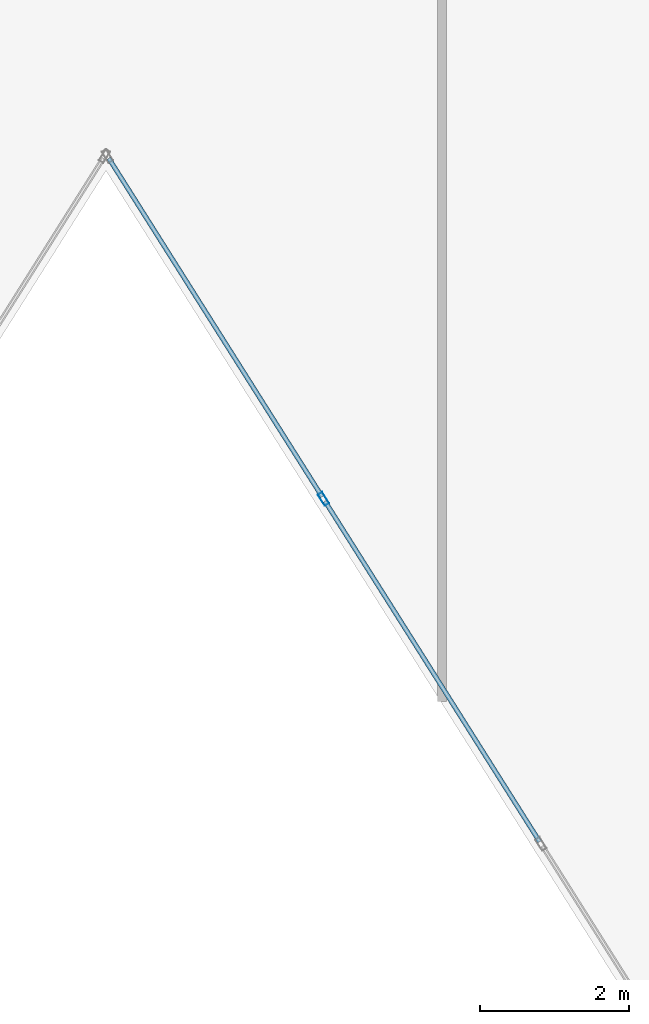
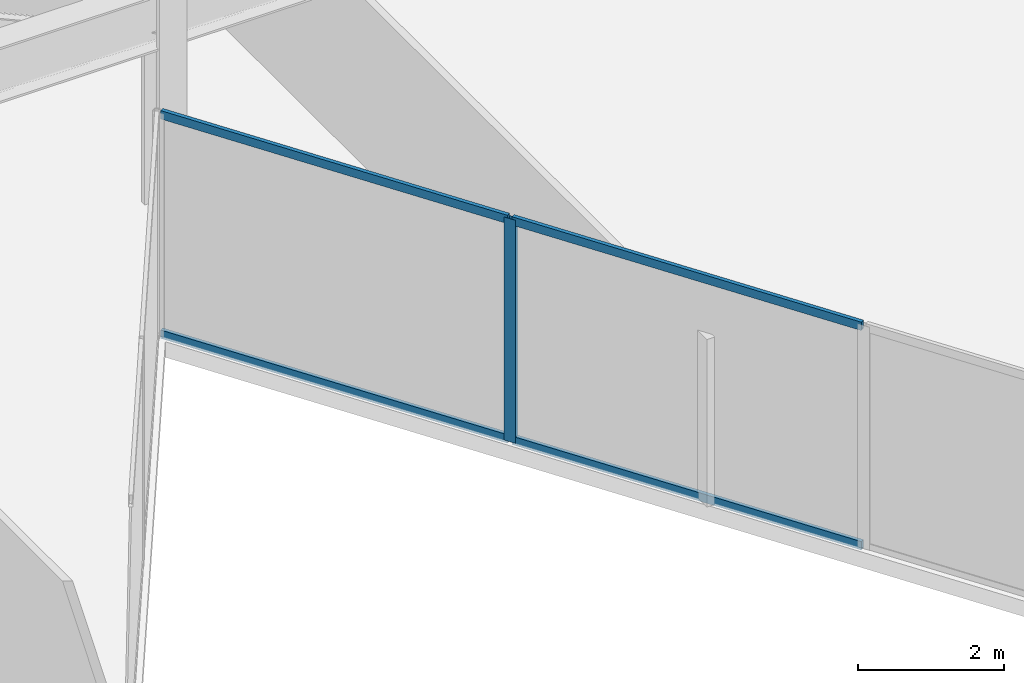
# One storey, part 15 of 25: 5 members, 1 element without a shape of its own.
"""IFC4 building model written with IfcOpenShell, lengths in metres."""

from ifc_helpers import new_model, si_unit, direction, frame, origin, origin_2d, place, context, subcontext, project, spatial, hollow_rectangle, extrude, material, layer, layer_set, material_profile, profile_set, type_object, element, aggregate, save


model = new_model("IFC4")

# Units and contexts
model_context = context("Model", 3, precision=1e-05, world=origin(), true_north=direction((0.0, 1.0)))
body_context = subcontext(model_context, "Body", "Model", "MODEL_VIEW")
ifc_project = project(units=[si_unit("LENGTHUNIT", "METRE"), si_unit("AREAUNIT", "SQUARE_METRE"), si_unit("VOLUMEUNIT", "CUBIC_METRE"), si_unit("PLANEANGLEUNIT", "RADIAN"), si_unit("MASSUNIT", "GRAM", prefix="KILO")], contexts=[model_context])

# Site, building, storey
site_placement = place(None, origin())
site = spatial("IfcSite", under=ifc_project, at=site_placement, CompositionType="ELEMENT")
building_placement = place(site_placement, origin())
building = spatial("IfcBuilding", under=site, at=building_placement, Name="Kravanh Interchange Tower", CompositionType="ELEMENT")
storey_placement = place(building_placement, frame((0.0, 0.0, 81.5)))
storey = spatial("IfcBuildingStorey", under=building, at=storey_placement, Name="L19", CompositionType="ELEMENT", Elevation=81.5)

# Curtain wall, members
ifc_material_1 = material(Name="Anodised Bronze Aluminium", Category="aluminium")
ifc_layer = layer(ifc_material_1, 0.179931640625)
ifc_layer_set = layer_set([ifc_layer], Name="Unitised Curtain Wall System CW-Z1 Lower Office")
curtain_wall_type = type_object("IfcCurtainWallType", Name="Unitised Curtain Wall System CW-Z1 Lower Office", PredefinedType="NOTDEFINED", material=ifc_layer_set)
curtain_wall_placement = place(storey_placement, origin())
curtain_wall = element("IfcCurtainWall", 1, at=curtain_wall_placement, inside=storey, type_object=curtain_wall_type, Name="L19 Unitised Curtain Wall CW-L19-04", PredefinedType="NOTDEFINED")
ifc_material_2 = material(Name="Anodised Bronze Aluminium", Category="aluminium")
ifc_material_profile_1 = material_profile(ifc_material_2, hollow_rectangle(XDim=0.070068359375, YDim=0.179931640625, WallThickness=0.00390625, at=origin_2d()), Name="ALU70X180X4")
ifc_profile_set_1 = profile_set([ifc_material_profile_1], Name="Anodised Bronze Aluminium")
member_type_1 = type_object("IfcMemberType", Name="Curtain Wall Mullion ALU70X180X4 Bronze", PredefinedType="MULLION", material=ifc_profile_set_1)
member_1_placement = place(storey_placement, frame((39.913330078125, 19.60400390625, 0.0), z_axis=(0.0, 0.0, 1.0), x_axis=(-0.845925530786, -0.53330103728, 0.0)))
member_1 = element("IfcMember", 2, at=member_1_placement, type_object=member_type_1, Name="CW-Z1 mullion 5", PredefinedType="MULLION", context=body_context, shape_type="SweptSolid", body=[
    extrude(hollow_rectangle(XDim=0.070068359375, YDim=0.179931640625, WallThickness=0.00390625, at=origin_2d()), origin(), (0.0, 0.0, 1.0), 3.719970703125),
])
ifc_material_3 = material(Name="Anodised Bronze Aluminium", Category="aluminium")
ifc_material_profile_2 = material_profile(ifc_material_3, hollow_rectangle(XDim=0.06005859375, YDim=0.139892578125, WallThickness=0.00390625, at=origin_2d()), Name="ALU60X140X4")
ifc_profile_set_2 = profile_set([ifc_material_profile_2], Name="Anodised Bronze Aluminium")
member_type_2 = type_object("IfcMemberType", Name="Curtain Wall Transom ALU60X140X4 Bronze", PredefinedType="USERDEFINED", material=ifc_profile_set_2)
member_2_placement = place(storey_placement, frame((42.807861328125, 15.0126953125, 0.030029296875), z_axis=(-0.533311487456, 0.84591894254, 0.0), x_axis=(-0.84591894254, -0.533311487456, 0.0)))
member_2 = element("IfcMember", 3, at=member_2_placement, type_object=member_type_2, Name="CW-Z1 transom 4.1", ObjectType="TRANSOM", PredefinedType="USERDEFINED", context=body_context, shape_type="SweptSolid", body=[
    extrude(hollow_rectangle(XDim=0.06005859375, YDim=0.139892578125, WallThickness=0.00390625, at=origin_2d()), origin(), (0.0, 0.0, 1.0), 5.392578125),
])
member_3_placement = place(storey_placement, frame((42.807861328125, 15.0126953125, 3.68994140625), z_axis=(-0.533311487456, 0.84591894254, 0.0), x_axis=(-0.84591894254, -0.533311487456, 0.0)))
member_3 = element("IfcMember", 4, at=member_3_placement, type_object=member_type_2, Name="CW-Z1 transom 4.2", ObjectType="TRANSOM", PredefinedType="USERDEFINED", context=body_context, shape_type="SweptSolid", body=[
    extrude(hollow_rectangle(XDim=0.06005859375, YDim=0.139892578125, WallThickness=0.00390625, at=origin_2d()), origin(), (0.0, 0.0, 1.0), 5.392578125),
])
member_4_placement = place(storey_placement, frame((39.89453125, 19.633544921875, 0.030029296875), z_axis=(-0.533288163518, 0.845933646719, 0.0), x_axis=(-0.845933646719, -0.533288163518, 0.0)))
member_4 = element("IfcMember", 5, at=member_4_placement, type_object=member_type_2, Name="CW-Z1 transom 5.1", ObjectType="TRANSOM", PredefinedType="USERDEFINED", context=body_context, shape_type="SweptSolid", body=[
    extrude(hollow_rectangle(XDim=0.06005859375, YDim=0.139892578125, WallThickness=0.00390625, at=origin_2d()), origin(), (0.0, 0.0, 1.0), 5.357666015625),
])
member_5_placement = place(storey_placement, frame((39.89453125, 19.633544921875, 3.68994140625), z_axis=(-0.533288163518, 0.845933646719, 0.0), x_axis=(-0.845933646719, -0.533288163518, 0.0)))
member_5 = element("IfcMember", 6, at=member_5_placement, type_object=member_type_2, Name="CW-Z1 transom 5.2", ObjectType="TRANSOM", PredefinedType="USERDEFINED", context=body_context, shape_type="SweptSolid", body=[
    extrude(hollow_rectangle(XDim=0.06005859375, YDim=0.139892578125, WallThickness=0.00390625, at=origin_2d()), origin(), (0.0, 0.0, 1.0), 5.357666015625),
])
aggregate(curtain_wall, [member_1, member_2, member_3, member_4, member_5])

save(model, "model.ifc")
